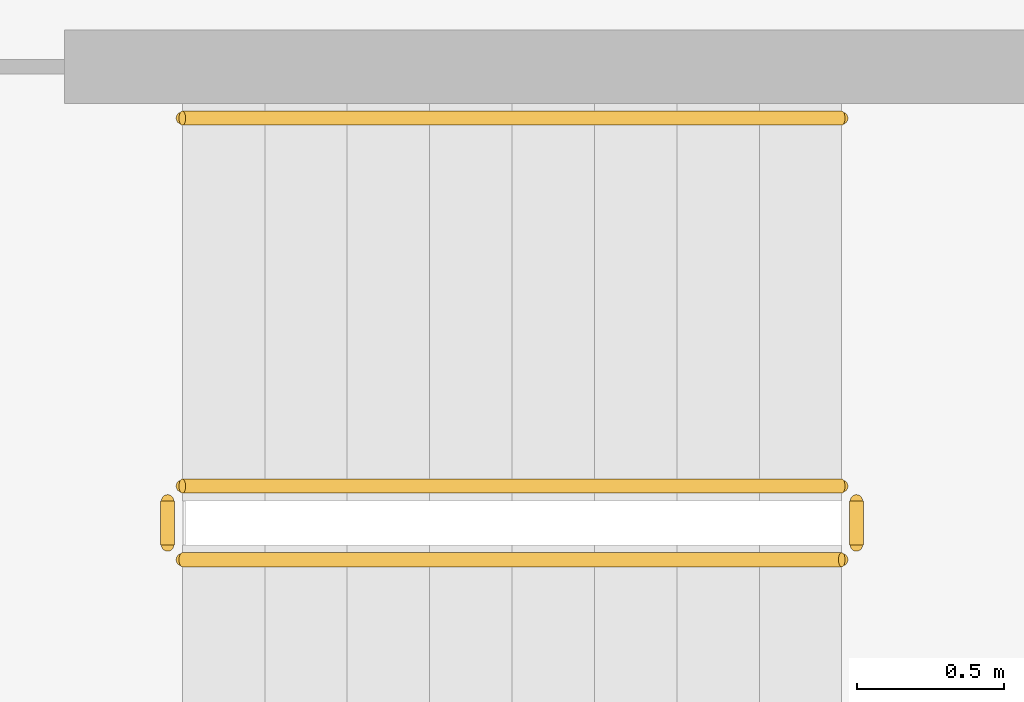
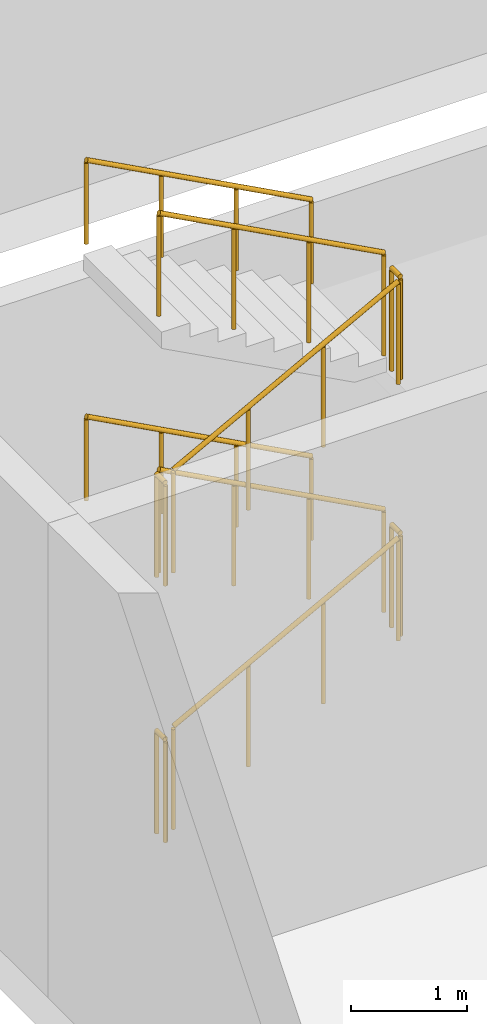
# One storey, part 26 of 35: 10 railings.
"""IFC4 building model written with IfcOpenShell, lengths in metres."""

from ifc_helpers import new_model, si_unit, direction, frame, origin, origin_2d, place, context, subcontext, project, spatial, circle, extrude, material, type_object, element, save


model = new_model("IFC4")

# Units and contexts
model_context = context("Model", 3, precision=1e-05, world=origin(), true_north=direction((0.0, 1.0)))
body_context = subcontext(model_context, "Body", "Model", "MODEL_VIEW")
ifc_project = project(units=[si_unit("LENGTHUNIT", "METRE"), si_unit("AREAUNIT", "SQUARE_METRE"), si_unit("VOLUMEUNIT", "CUBIC_METRE"), si_unit("PLANEANGLEUNIT", "RADIAN"), si_unit("MASSUNIT", "GRAM", prefix="KILO")], contexts=[model_context])

# Site, building, storey
site_placement = place(None, origin())
site = spatial("IfcSite", under=ifc_project, at=site_placement, CompositionType="ELEMENT")
building_placement = place(site_placement, origin())
building = spatial("IfcBuilding", under=site, at=building_placement, Name="Jabali Bay Hotel Tower and Convention Centre", CompositionType="ELEMENT")
storey_placement = place(building_placement, frame((0.0, 0.0, 15.0)))
storey = spatial("IfcBuildingStorey", under=building, at=storey_placement, Name="L02", CompositionType="ELEMENT", Elevation=15.0)

# Railings
ifc_material = material(Name="Stainless steel 304", Category="steel")
railing_type_1 = type_object("IfcRailingType", Name="CC Stair Guard 1100", PredefinedType="GUARDRAIL", material=ifc_material)
railing_1_placement = place(storey_placement, frame((152.10009765625, 101.47509765625, 0.14990234375)))
element("IfcRailing", 1, at=railing_1_placement, inside=storey, type_object=railing_type_1, Name="L02 CC-STWA stair guard 1", PredefinedType="GUARDRAIL", context=body_context, shape_type="SweptSolid", body=[
    extrude(circle(Radius=0.02392578125, at=origin_2d()), frame((0.0, 0.0, 1.076171875), z_axis=(0.881447119201, 0.0, 0.472282728937), x_axis=(0.0, 1.0, 0.0)), (0.0, 0.0, 1.0), 2.541259765625),
    extrude(circle(Radius=0.02099609375, at=origin_2d()), origin(), (0.0, 0.0, 1.0), 1.052001953125),
    extrude(circle(Radius=0.02099609375, at=origin_2d()), frame((0.74658203125, 0.0, 0.400146484375)), (0.0, 0.0, 1.0), 1.052001953125),
    extrude(circle(Radius=0.02099609375, at=origin_2d()), frame((1.493408203125, 0.0, 0.800048828125)), (0.0, 0.0, 1.0), 1.052001953125),
    extrude(circle(Radius=0.02099609375, at=origin_2d()), frame((2.239990234375, 0.0, 1.2001953125)), (0.0, 0.0, 1.0), 1.052001953125),
])
railing_2_placement = place(storey_placement, frame((154.389892578125, 101.52490234375, 1.35009765625)))
element("IfcRailing", 2, at=railing_2_placement, inside=storey, type_object=railing_type_1, Name="L02 CC-STWA stair guard 2", PredefinedType="GUARDRAIL", context=body_context, shape_type="SweptSolid", body=[
    extrude(circle(Radius=0.02392578125, at=origin_2d()), frame((0.0, 0.0, 1.076171875), z_axis=(0.0, 1.0, 0.0), x_axis=(-1.0, 0.0, 0.0)), (0.0, 0.0, 1.0), 0.150146484375),
    extrude(circle(Radius=0.02099609375, at=origin_2d()), origin(), (0.0, 0.0, 1.0), 1.052001953125),
    extrude(circle(Radius=0.02099609375, at=origin_2d()), frame((0.0, 0.150146484375, 0.0)), (0.0, 0.0, 1.0), 1.052001953125),
])
railing_3_placement = place(storey_placement, frame((154.340087890625, 101.72509765625, 1.5)))
element("IfcRailing", 3, at=railing_3_placement, inside=storey, type_object=railing_type_1, Name="L02 CC-STWA stair guard 3", PredefinedType="GUARDRAIL", context=body_context, shape_type="SweptSolid", body=[
    extrude(circle(Radius=0.02392578125, at=origin_2d()), frame((0.0, 0.0, 1.076171875), z_axis=(-0.881487111273, 0.0, 0.472208081951), x_axis=(0.0, -1.0, 0.0)), (0.0, 0.0, 1.0), 2.541259765625),
    extrude(circle(Radius=0.02099609375, at=origin_2d()), origin(), (0.0, 0.0, 1.0), 1.052001953125),
    extrude(circle(Radius=0.02099609375, at=origin_2d()), frame((-0.74658203125, 0.0, 0.39990234375)), (0.0, 0.0, 1.0), 1.052001953125),
    extrude(circle(Radius=0.02099609375, at=origin_2d()), frame((-1.493408203125, 0.0, 0.800048828125)), (0.0, 0.0, 1.0), 1.052001953125),
    extrude(circle(Radius=0.02099609375, at=origin_2d()), frame((-2.239990234375, 0.0, 1.199951171875)), (0.0, 0.0, 1.0), 1.052001953125),
])
railing_4_placement = place(storey_placement, frame((152.050048828125, 101.52490234375, 2.699951171875)))
element("IfcRailing", 4, at=railing_4_placement, inside=storey, type_object=railing_type_1, Name="L02 CC-STWA stair guard 4", PredefinedType="GUARDRAIL", context=body_context, shape_type="SweptSolid", body=[
    extrude(circle(Radius=0.02392578125, at=origin_2d()), frame((0.0, 0.0, 1.076171875), z_axis=(0.0, 1.0, 0.0), x_axis=(-1.0, 0.0, 0.0)), (0.0, 0.0, 1.0), 0.150146484375),
    extrude(circle(Radius=0.02099609375, at=origin_2d()), origin(), (0.0, 0.0, 1.0), 1.052001953125),
    extrude(circle(Radius=0.02099609375, at=origin_2d()), frame((0.0, 0.150146484375, 0.0)), (0.0, 0.0, 1.0), 1.052001953125),
])
railing_5_placement = place(storey_placement, frame((152.10009765625, 101.47509765625, 2.85009765625)))
element("IfcRailing", 5, at=railing_5_placement, inside=storey, type_object=railing_type_1, Name="L02 CC-STWA stair guard 5", PredefinedType="GUARDRAIL", context=body_context, shape_type="SweptSolid", body=[
    extrude(circle(Radius=0.02392578125, at=origin_2d()), frame((0.0, 0.0, 1.076171875), z_axis=(0.881487111273, 0.0, 0.472208081951), x_axis=(0.0, 1.0, 0.0)), (0.0, 0.0, 1.0), 2.541259765625),
    extrude(circle(Radius=0.02099609375, at=origin_2d()), origin(), (0.0, 0.0, 1.0), 1.052001953125),
    extrude(circle(Radius=0.02099609375, at=origin_2d()), frame((0.74658203125, 0.0, 0.39990234375)), (0.0, 0.0, 1.0), 1.052001953125),
    extrude(circle(Radius=0.02099609375, at=origin_2d()), frame((1.493408203125, 0.0, 0.800048828125)), (0.0, 0.0, 1.0), 1.052001953125),
    extrude(circle(Radius=0.02099609375, at=origin_2d()), frame((2.239990234375, 0.0, 1.199951171875)), (0.0, 0.0, 1.0), 1.052001953125),
])
railing_6_placement = place(storey_placement, frame((154.389892578125, 101.52490234375, 4.050048828125)))
element("IfcRailing", 6, at=railing_6_placement, inside=storey, type_object=railing_type_1, Name="L02 CC-STWA stair guard 6", PredefinedType="GUARDRAIL", context=body_context, shape_type="SweptSolid", body=[
    extrude(circle(Radius=0.02392578125, at=origin_2d()), frame((0.0, 0.0, 1.076171875), z_axis=(0.0, 1.0, 0.0), x_axis=(-1.0, 0.0, 0.0)), (0.0, 0.0, 1.0), 0.150146484375),
    extrude(circle(Radius=0.02099609375, at=origin_2d()), origin(), (0.0, 0.0, 1.0), 1.052001953125),
    extrude(circle(Radius=0.02099609375, at=origin_2d()), frame((0.0, 0.150146484375, 0.0)), (0.0, 0.0, 1.0), 1.052001953125),
])
railing_7_placement = place(storey_placement, frame((154.340087890625, 101.72509765625, 4.199951171875)))
element("IfcRailing", 7, at=railing_7_placement, inside=storey, type_object=railing_type_1, Name="L02 CC-STWA stair guard 7", PredefinedType="GUARDRAIL", context=body_context, shape_type="SweptSolid", body=[
    extrude(circle(Radius=0.02392578125, at=origin_2d()), frame((0.0, 0.0, 1.076171875), z_axis=(-0.881487111273, 0.0, 0.472208081951), x_axis=(0.0, -1.0, 0.0)), (0.0, 0.0, 1.0), 2.541259765625),
    extrude(circle(Radius=0.02099609375, at=origin_2d()), origin(), (0.0, 0.0, 1.0), 1.052001953125),
    extrude(circle(Radius=0.02099609375, at=origin_2d()), frame((-0.74658203125, 0.0, 0.39990234375)), (0.0, 0.0, 1.0), 1.052001953125),
    extrude(circle(Radius=0.02099609375, at=origin_2d()), frame((-1.493408203125, 0.0, 0.800048828125)), (0.0, 0.0, 1.0), 1.052001953125),
    extrude(circle(Radius=0.02099609375, at=origin_2d()), frame((-2.239990234375, 0.0, 1.199951171875)), (0.0, 0.0, 1.0), 1.052001953125),
])
railing_8_placement = place(storey_placement, frame((152.050048828125, 101.52490234375, 0.0)))
element("IfcRailing", 8, at=railing_8_placement, inside=storey, type_object=railing_type_1, Name="L02 CC-STWA stair guard 8", PredefinedType="GUARDRAIL", context=body_context, shape_type="SweptSolid", body=[
    extrude(circle(Radius=0.02392578125, at=origin_2d()), frame((0.0, 0.0, 1.076171875), z_axis=(0.0, 1.0, 0.0), x_axis=(-1.0, 0.0, 0.0)), (0.0, 0.0, 1.0), 0.150146484375),
    extrude(circle(Radius=0.02099609375, at=origin_2d()), origin(), (0.0, 0.0, 1.0), 1.052001953125),
    extrude(circle(Radius=0.02099609375, at=origin_2d()), frame((0.0, 0.150146484375, 0.0)), (0.0, 0.0, 1.0), 1.052001953125),
])
railing_type_2 = type_object("IfcRailingType", Name="CC Stair Handrail 900", PredefinedType="HANDRAIL", material=ifc_material)
for number, where, name in (
    (9, (154.340087890625, 102.97509765625, 1.5), "L02 CC-STWA stair handrail 2"),
    (10, (154.340087890625, 102.97509765625, 4.199951171875), "L02 CC-STWA stair handrail 4"),
):
    element("IfcRailing", number, at=place(storey_placement, frame(where)), inside=storey, type_object=railing_type_2, Name=name, PredefinedType="HANDRAIL", context=body_context, shape_type="SweptSolid", body=[
        extrude(circle(Radius=0.02392578125, at=origin_2d()), frame((0.0, 0.0, 0.8759765625), z_axis=(-0.881487111273, 0.0, 0.472208081951), x_axis=(0.0, -1.0, 0.0)), (0.0, 0.0, 1.0), 2.541259765625),
        extrude(circle(Radius=0.02099609375, at=origin_2d()), origin(), (0.0, 0.0, 1.0), 0.851806640625),
        extrude(circle(Radius=0.02099609375, at=origin_2d()), frame((-0.74658203125, 0.0, 0.39990234375)), (0.0, 0.0, 1.0), 0.851806640625),
        extrude(circle(Radius=0.02099609375, at=origin_2d()), frame((-1.493408203125, 0.0, 0.800048828125)), (0.0, 0.0, 1.0), 0.851806640625),
        extrude(circle(Radius=0.02099609375, at=origin_2d()), frame((-2.239990234375, 0.0, 1.199951171875)), (0.0, 0.0, 1.0), 0.851806640625),
    ])

save(model, "model.ifc")
